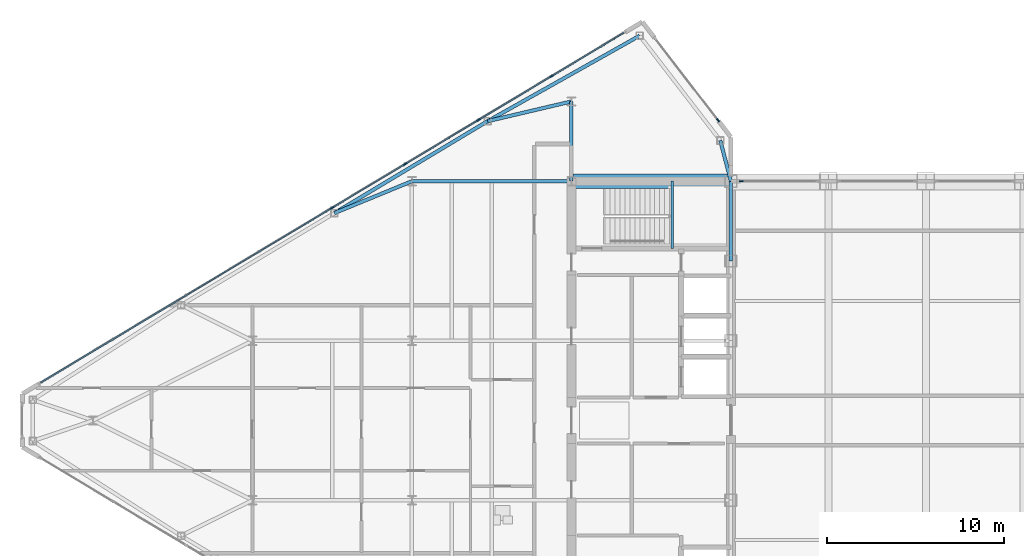
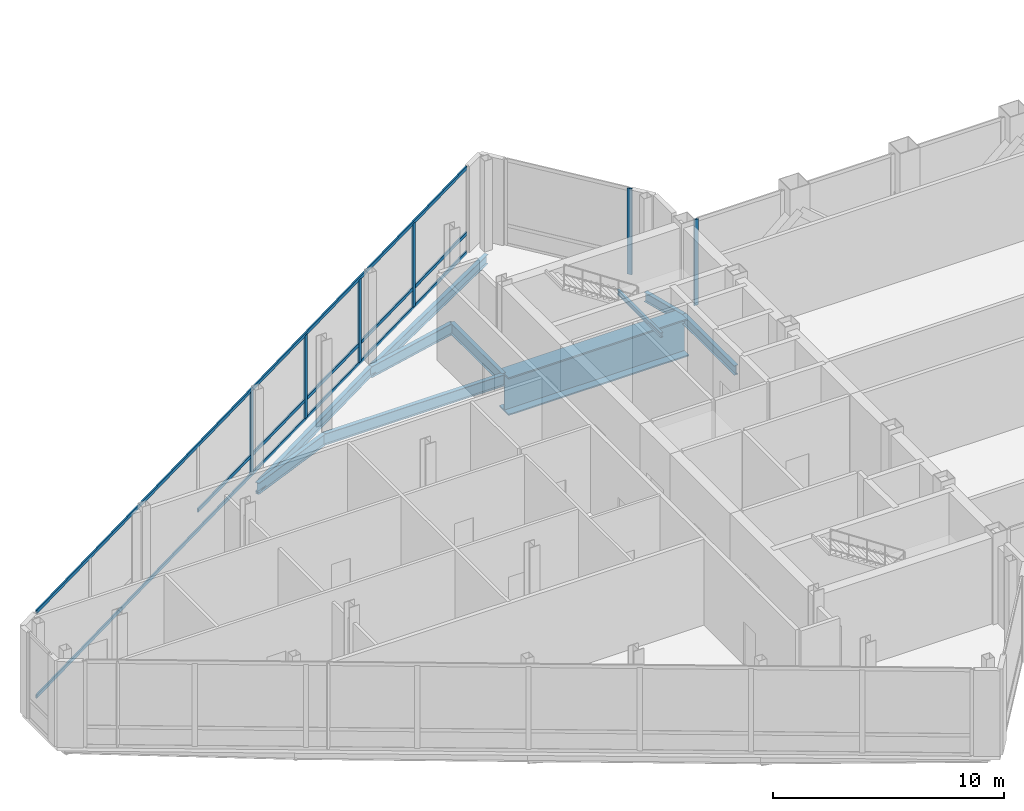
# One storey, part 11 of 29: 13 members, 10 beams, 3 elements without a shape of their own.
"""IFC4 building model written with IfcOpenShell, lengths in metres."""

from ifc_helpers import new_model, si_unit, direction, frame, origin, origin_2d, place, context, subcontext, project, spatial, rectangle, i_section, extrude, source, transform, mapped, material, layer, layer_set, material_profile, profile_set, type_object, type_shapes, element, aggregate, save


model = new_model("IFC4")

# Units and contexts
model_context = context("Model", 3, precision=1e-05, world=origin(), true_north=direction((0.0, 1.0)))
body_context = subcontext(model_context, "Body", "Model", "MODEL_VIEW")
ifc_project = project(units=[si_unit("LENGTHUNIT", "METRE"), si_unit("AREAUNIT", "SQUARE_METRE"), si_unit("VOLUMEUNIT", "CUBIC_METRE"), si_unit("PLANEANGLEUNIT", "RADIAN"), si_unit("MASSUNIT", "GRAM", prefix="KILO")], contexts=[model_context])

# Site, building, storey
site_placement = place(None, origin())
site = spatial("IfcSite", under=ifc_project, at=site_placement, CompositionType="ELEMENT")
building_placement = place(site_placement, origin())
building = spatial("IfcBuilding", under=site, at=building_placement, Name="Seokmaru Belvedere", CompositionType="ELEMENT")
storey_placement = place(building_placement, frame((0.0, 0.0, 229.800048828125)))
storey = spatial("IfcBuildingStorey", under=building, at=storey_placement, Name="L61", CompositionType="ELEMENT", Elevation=229.800048828125)

# Beams
ifc_material_1 = material(Name="Steel SM355 (355 MPa)", Category="steel")
ifc_material_profile_1 = material_profile(ifc_material_1, i_section(OverallWidth=0.199951171875, OverallDepth=0.5, WebThickness=0.010009765625, FlangeThickness=0.01611328125, at=origin_2d()), Name="H-500x200x10x16")
ifc_profile_set_1 = profile_set([ifc_material_profile_1], Name="Steel SM355 (355 MPa)")
beam_type_1 = type_object("IfcBeamType", Name="Perimeter Spandrel Beam H-500", PredefinedType="SPANDREL", material=ifc_profile_set_1)
shared_shape_1 = source(origin(), body_context, "Body", "SweptSolid", [
    extrude(i_section(OverallWidth=0.199951171875, OverallDepth=0.5, WebThickness=0.010009765625, FlangeThickness=0.01611328125, at=origin_2d()), origin(), (0.0, 0.0, 1.0), 4.5),
])
beam_1_placement = place(storey_placement, frame((-27.5, 9.0, -0.510009765625), z_axis=(0.0, 1.0, 0.0), x_axis=(-1.0, 0.0, 0.0)))
element("IfcBeam", 1, at=beam_1_placement, inside=storey, type_object=beam_type_1, Name="L61 W Portal Spine Spandrel 5", PredefinedType="SPANDREL", context=body_context, shape_type="MappedRepresentation", body=[
    mapped(shared_shape_1, transform((0.0, 0.0, 0.0), scale=1.0)),
])
ifc_material_profile_2 = material_profile(ifc_material_1, i_section(OverallWidth=0.199951171875, OverallDepth=0.60009765625, WebThickness=0.010986328125, FlangeThickness=0.01708984375, at=origin_2d()), Name="H-600x200x11x17")
ifc_profile_set_2 = profile_set([ifc_material_profile_2], Name="Steel SM355 (355 MPa)")
beam_type_2 = type_object("IfcBeamType", Name="Primary Floor Girder H-600", PredefinedType="BEAM", material=ifc_profile_set_2)
shared_shape_2 = source(origin(), body_context, "Body", "SweptSolid", [
    extrude(i_section(OverallWidth=0.199951171875, OverallDepth=0.60009765625, WebThickness=0.010986328125, FlangeThickness=0.01708984375, at=origin_2d()), origin(), (0.0, 0.0, 1.0), 9.0),
])
beam_2_placement = place(storey_placement, frame((-45.5, 13.5, -0.56005859375), z_axis=(1.0, 0.0, 0.0), x_axis=(0.0, 1.0, 0.0)))
element("IfcBeam", 2, at=beam_2_placement, inside=storey, type_object=beam_type_2, Name="L61 W Wing Primary Girder 4", PredefinedType="BEAM", context=body_context, shape_type="MappedRepresentation", body=[
    mapped(shared_shape_2, transform((0.0, 0.0, 0.0), scale=1.0)),
])
shared_shape_3 = source(origin(), body_context, "Body", "SweptSolid", [
    extrude(i_section(OverallWidth=0.199951171875, OverallDepth=0.60009765625, WebThickness=0.010986328125, FlangeThickness=0.01708984375, at=origin_2d()), origin(), (0.0, 0.0, 1.0), 4.5),
])
beam_3_placement = place(storey_placement, frame((-36.5, 13.5, -0.56005859375), z_axis=(0.0, 1.0, 0.0), x_axis=(-1.0, 0.0, 0.0)))
element("IfcBeam", 3, at=beam_3_placement, inside=storey, type_object=beam_type_2, Name="L61 W Core Shoulder Girder N", PredefinedType="BEAM", context=body_context, shape_type="MappedRepresentation", body=[
    mapped(shared_shape_3, transform((0.0, 0.0, 0.0), scale=1.0)),
])
shared_shape_4 = source(origin(), body_context, "Body", "SweptSolid", [
    extrude(i_section(OverallWidth=0.199951171875, OverallDepth=0.5, WebThickness=0.010009765625, FlangeThickness=0.01611328125, at=origin_2d()), origin(), (0.0, 0.0, 1.0), 9.842041015625),
])
beam_4_placement = place(storey_placement, frame((-32.649658203125, 21.71044921875, -0.510009765625), z_axis=(-0.871782151818, -0.489893743349, 0.0), x_axis=(0.489893743349, -0.871782151818, 0.0)))
element("IfcBeam", 4, at=beam_4_placement, inside=storey, type_object=beam_type_1, Name="L61 W Faceted Flank Spandrel N-1", PredefinedType="SPANDREL", context=body_context, shape_type="MappedRepresentation", body=[
    mapped(shared_shape_4, transform((0.0, 0.0, 0.0), scale=1.0)),
])
shared_shape_5 = source(origin(), body_context, "Body", "SweptSolid", [
    extrude(i_section(OverallWidth=0.199951171875, OverallDepth=0.5, WebThickness=0.010009765625, FlangeThickness=0.01611328125, at=origin_2d()), origin(), (0.0, 0.0, 1.0), 10.087646484375),
])
beam_5_placement = place(storey_placement, frame((-41.229736328125, 16.888916015625, -0.510009765625), z_axis=(-0.857499332045, -0.514485078056, 0.0), x_axis=(0.514485078056, -0.857499332045, 0.0)))
element("IfcBeam", 5, at=beam_5_placement, inside=storey, type_object=beam_type_1, Name="L61 W Faceted Flank Spandrel N-2", PredefinedType="SPANDREL", context=body_context, shape_type="MappedRepresentation", body=[
    mapped(shared_shape_5, transform((0.0, 0.0, 0.0), scale=1.0)),
])
shared_shape_6 = source(origin(), body_context, "Body", "SweptSolid", [
    extrude(i_section(OverallWidth=0.199951171875, OverallDepth=0.5, WebThickness=0.010009765625, FlangeThickness=0.01611328125, at=origin_2d()), origin(), (0.0, 0.0, 1.0), 2.373046875),
])
type_shapes(beam_type_1, [shared_shape_1, shared_shape_4, shared_shape_5, shared_shape_6])
beam_6_placement = place(storey_placement, frame((-28.10009765625, 15.7958984375, -0.510009765625), z_axis=(0.252882558842, -0.967496982648, 0.0), x_axis=(0.967496982648, 0.252882558842, 0.0)))
element("IfcBeam", 6, at=beam_6_placement, inside=storey, type_object=beam_type_1, Name="L61 W Shoulder Spine Spandrel N", PredefinedType="SPANDREL", context=body_context, shape_type="MappedRepresentation", body=[
    mapped(shared_shape_6, transform((0.0, 0.0, 0.0), scale=1.0)),
])
shared_shape_7 = source(origin(), body_context, "Body", "SweptSolid", [
    extrude(i_section(OverallWidth=0.199951171875, OverallDepth=0.60009765625, WebThickness=0.010986328125, FlangeThickness=0.01708984375, at=origin_2d()), origin(), (0.0, 0.0, 1.0), 4.8583984375),
])
beam_7_placement = place(storey_placement, frame((-41.229736328125, 16.888916015625, -0.56005859375), z_axis=(0.97349948295, 0.228689214211, 0.0), x_axis=(-0.228689214211, 0.97349948295, 0.0)))
element("IfcBeam", 7, at=beam_7_placement, inside=storey, type_object=beam_type_2, Name="L61 W Flank Radial Floor Girder N-1", PredefinedType="BEAM", context=body_context, shape_type="MappedRepresentation", body=[
    mapped(shared_shape_7, transform((0.0, 0.0, 0.0), scale=1.0)),
])
shared_shape_8 = source(origin(), body_context, "Body", "SweptSolid", [
    extrude(i_section(OverallWidth=0.199951171875, OverallDepth=0.60009765625, WebThickness=0.010986328125, FlangeThickness=0.01708984375, at=origin_2d()), origin(), (0.0, 0.0, 1.0), 4.73583984375),
])
type_shapes(beam_type_2, [shared_shape_2, shared_shape_3, shared_shape_7, shared_shape_8])
beam_8_placement = place(storey_placement, frame((-49.8798828125, 11.698974609375, -0.56005859375), z_axis=(0.924860562953, 0.380306375301, 0.0), x_axis=(-0.380306375301, 0.924860562953, 0.0)))
element("IfcBeam", 8, at=beam_8_placement, inside=storey, type_object=beam_type_2, Name="L61 W Flank Radial Floor Girder N-2", PredefinedType="BEAM", context=body_context, shape_type="MappedRepresentation", body=[
    mapped(shared_shape_8, transform((0.0, 0.0, 0.0), scale=1.0)),
])
ifc_material_2 = material(Name="Steel HSA650 (650 MPa)", Category="steel")
ifc_material_profile_3 = material_profile(ifc_material_2, i_section(OverallWidth=0.800048828125, OverallDepth=2.0, WebThickness=0.0400390625, FlangeThickness=0.070068359375, at=origin_2d()), Name="BH-2000x800x40x70")
ifc_profile_set_3 = profile_set([ifc_material_profile_3], Name="Steel HSA650 (650 MPa)")
beam_type_3 = type_object("IfcBeamType", Name="Sky-Gate Transfer Truss Chord Girder BH-2000", PredefinedType="BEAM", material=ifc_profile_set_3)
shared_shape_9 = source(origin(), body_context, "Body", "SweptSolid", [
    extrude(i_section(OverallWidth=0.800048828125, OverallDepth=2.0, WebThickness=0.0400390625, FlangeThickness=0.070068359375, at=origin_2d()), origin(), (0.0, 0.0, 1.0), 9.0),
])
type_shapes(beam_type_3, [shared_shape_9])
beam_9_placement = place(storey_placement, frame((-36.5, 13.5, -1.260009765625), z_axis=(1.0, 0.0, 0.0), x_axis=(0.0, 1.0, 0.0)))
element("IfcBeam", 9, at=beam_9_placement, inside=storey, type_object=beam_type_3, Name="L61 Sky-Gate Transfer Truss Chord N-01", PredefinedType="BEAM", context=body_context, shape_type="MappedRepresentation", body=[
    mapped(shared_shape_9, transform((0.0, 0.0, 0.0), scale=1.0)),
])

# Curtain wall, member
ifc_material_3 = material(Name="Bronze Triple Insulating Glass", Category="glass")
ifc_layer = layer(ifc_material_3, 0.219970703125)
ifc_layer_set = layer_set([ifc_layer], Name="Bronze Triple Insulating Glass")
curtain_wall_type = type_object("IfcCurtainWallType", Name="Sky-Gate Bridge Panorama Curtain Wall System CW-6", PredefinedType="NOTDEFINED", material=ifc_layer_set)
curtain_wall_1_placement = place(storey_placement, origin())
curtain_wall_1 = element("IfcCurtainWall", 10, at=curtain_wall_1_placement, inside=storey, type_object=curtain_wall_type, Name="L61 Curtain Wall WF2", PredefinedType="NOTDEFINED")
ifc_material_4 = material(Name="Anodised Bronze Aluminium", Category="aluminium")
ifc_material_profile_4 = material_profile(ifc_material_4, rectangle(XDim=0.080078125, YDim=0.219970703125, at=origin_2d()), Name="CW-M-80x220")
ifc_profile_set_4 = profile_set([ifc_material_profile_4], Name="Anodised Bronze Aluminium")
member_type_1 = type_object("IfcMemberType", Name="Bronze Unitised Mullion 80x220", PredefinedType="MULLION", material=ifc_profile_set_4)
shared_shape_10 = source(origin(), body_context, "Body", "SweptSolid", [
    extrude(rectangle(XDim=0.080078125, YDim=0.219970703125, at=origin_2d()), origin(), (0.0, 0.0, 1.0), 4.5400390625),
])
member_1_placement = place(storey_placement, frame((-28.2255859375, 16.943115234375, 0.0), z_axis=(0.0, 0.0, 1.0), x_axis=(-0.792631353244, -0.609701187349, 0.0)))
member_1 = element("IfcMember", 11, at=member_1_placement, type_object=member_type_1, Name="CW:L61:WF2 Mullion 1", PredefinedType="MULLION", context=body_context, shape_type="MappedRepresentation", body=[
    mapped(shared_shape_10, transform((0.0, 0.0, 0.0), scale=1.0)),
])
aggregate(curtain_wall_1, [member_1])

curtain_wall_2_placement = place(storey_placement, origin())
curtain_wall_2 = element("IfcCurtainWall", 12, at=curtain_wall_2_placement, inside=storey, type_object=curtain_wall_type, Name="L61 Curtain Wall BR_N01", PredefinedType="NOTDEFINED")
member_2_placement = place(storey_placement, frame((-26.909912109375, 13.5, 0.0), z_axis=(0.0, 0.0, 1.0), x_axis=(0.0, -1.0, 0.0)))
member_2 = element("IfcMember", 13, at=member_2_placement, type_object=member_type_1, Name="CW:L61:BR_N01 Mullion 2", PredefinedType="MULLION", context=body_context, shape_type="MappedRepresentation", body=[
    mapped(shared_shape_10, transform((0.0, 0.0, 0.0), scale=1.0)),
])
aggregate(curtain_wall_2, [member_2])

# Curtain wall, members
curtain_wall_3_placement = place(storey_placement, origin())
curtain_wall_3 = element("IfcCurtainWall", 14, at=curtain_wall_3_placement, inside=storey, type_object=curtain_wall_type, Name="L61 Curtain Wall WF3", PredefinedType="NOTDEFINED")
shared_shape_11 = source(origin(), body_context, "Body", "SweptSolid", [
    extrude(rectangle(XDim=0.080078125, YDim=0.219970703125, at=origin_2d()), origin(), (0.0, 0.0, 1.0), 4.389892578125),
])
type_shapes(member_type_1, [shared_shape_10, shared_shape_11])
member_3_placement = place(storey_placement, frame((-37.614501953125, 19.43115234375, 0.074951171875), z_axis=(0.0, 0.0, 1.0), x_axis=(0.514494909364, -0.85749343335, 0.0)))
member_3 = element("IfcMember", 15, at=member_3_placement, type_object=member_type_1, Name="CW:L61:WF3 Mullion 2", PredefinedType="MULLION", context=body_context, shape_type="MappedRepresentation", body=[
    mapped(shared_shape_11, transform((0.0, 0.0, 0.0), scale=1.0)),
])
member_4_placement = place(storey_placement, frame((-41.7431640625, 16.9541015625, 0.074951171875), z_axis=(0.0, 0.0, 1.0), x_axis=(0.514494909364, -0.85749343335, 0.0)))
member_4 = element("IfcMember", 16, at=member_4_placement, type_object=member_type_1, Name="CW:L61:WF3 Mullion 3", PredefinedType="MULLION", context=body_context, shape_type="MappedRepresentation", body=[
    mapped(shared_shape_11, transform((0.0, 0.0, 0.0), scale=1.0)),
])
member_5_placement = place(storey_placement, frame((-45.87158203125, 14.47705078125, 0.074951171875), z_axis=(0.0, 0.0, 1.0), x_axis=(0.514494909364, -0.85749343335, 0.0)))
member_5 = element("IfcMember", 17, at=member_5_placement, type_object=member_type_1, Name="CW:L61:WF3 Mullion 4", PredefinedType="MULLION", context=body_context, shape_type="MappedRepresentation", body=[
    mapped(shared_shape_11, transform((0.0, 0.0, 0.0), scale=1.0)),
])
member_6_placement = place(storey_placement, frame((-50.0, 12.0, 0.074951171875), z_axis=(0.0, 0.0, 1.0), x_axis=(0.514494909364, -0.85749343335, 0.0)))
member_6 = element("IfcMember", 18, at=member_6_placement, type_object=member_type_1, Name="CW:L61:WF3 Mullion 5", PredefinedType="MULLION", context=body_context, shape_type="MappedRepresentation", body=[
    mapped(shared_shape_11, transform((0.0, 0.0, 0.0), scale=1.0)),
])
ifc_material_profile_5 = material_profile(ifc_material_4, rectangle(XDim=0.074951171875, YDim=0.179931640625, at=origin_2d()), Name="CW-T-75x180")
ifc_profile_set_5 = profile_set([ifc_material_profile_5], Name="Anodised Bronze Aluminium")
member_type_2 = type_object("IfcMemberType", Name="Bronze Unitised Transom 75x180", PredefinedType="USERDEFINED", material=ifc_profile_set_5)
shared_shape_12 = source(origin(), body_context, "Body", "SweptSolid", [
    extrude(rectangle(XDim=0.074951171875, YDim=0.179931640625, at=origin_2d()), origin(), (0.0, 0.0, 1.0), 38.356689453125),
])
member_7_placement = place(storey_placement, frame((-33.5546875, 21.8671875, 0.037353515625), z_axis=(-0.857492925713, -0.514495755428, 0.0), x_axis=(0.514495755428, -0.857492925713, 0.0)))
member_7 = element("IfcMember", 19, at=member_7_placement, type_object=member_type_2, Name="CW:L61:WF3 Continuous Transom 1", ObjectType="TRANSOM", PredefinedType="USERDEFINED", context=body_context, shape_type="MappedRepresentation", body=[
    mapped(shared_shape_12, transform((0.0, 0.0, 0.0), scale=1.0)),
])
member_8_placement = place(storey_placement, frame((-33.5546875, 21.8671875, 4.50244140625), z_axis=(-0.857492925713, -0.514495755428, 0.0), x_axis=(0.514495755428, -0.857492925713, 0.0)))
member_8 = element("IfcMember", 20, at=member_8_placement, type_object=member_type_2, Name="CW:L61:WF3 Continuous Transom 2", ObjectType="TRANSOM", PredefinedType="USERDEFINED", context=body_context, shape_type="MappedRepresentation", body=[
    mapped(shared_shape_12, transform((0.0, 0.0, 0.0), scale=1.0)),
])
shared_shape_13 = source(origin(), body_context, "Body", "SweptSolid", [
    extrude(rectangle(XDim=0.074951171875, YDim=0.179931640625, at=origin_2d()), origin(), (0.0, 0.0, 1.0), 4.694580078125),
])
member_9_placement = place(storey_placement, frame((-33.5546875, 21.8671875, 1.050048828125), z_axis=(-0.85750210284, -0.514480459906, 0.0), x_axis=(0.514480459906, -0.85750210284, 0.0)))
member_9 = element("IfcMember", 21, at=member_9_placement, type_object=member_type_2, Name="CW:L61:WF3 Spandrel Transom 1", ObjectType="TRANSOM", PredefinedType="USERDEFINED", context=body_context, shape_type="MappedRepresentation", body=[
    mapped(shared_shape_13, transform((0.0, 0.0, 0.0), scale=1.0)),
])
shared_shape_14 = source(origin(), body_context, "Body", "SweptSolid", [
    extrude(rectangle(XDim=0.074951171875, YDim=0.179931640625, at=origin_2d()), origin(), (0.0, 0.0, 1.0), 4.734619140625),
])
member_10_placement = place(storey_placement, frame((-37.64892578125, 19.41064453125, 1.050048828125), z_axis=(-0.857479275774, -0.514518504641, 0.0), x_axis=(0.514518504641, -0.857479275774, 0.0)))
member_10 = element("IfcMember", 22, at=member_10_placement, type_object=member_type_2, Name="CW:L61:WF3 Spandrel Transom 2", ObjectType="TRANSOM", PredefinedType="USERDEFINED", context=body_context, shape_type="MappedRepresentation", body=[
    mapped(shared_shape_14, transform((0.0, 0.0, 0.0), scale=1.0)),
])
shared_shape_15 = source(origin(), body_context, "Body", "SweptSolid", [
    extrude(rectangle(XDim=0.074951171875, YDim=0.179931640625, at=origin_2d()), origin(), (0.0, 0.0, 1.0), 4.734375),
])
member_11_placement = place(storey_placement, frame((-41.77734375, 16.93359375, 1.050048828125), z_axis=(-0.857502025578, -0.514480588682, 0.0), x_axis=(0.514480588682, -0.857502025578, 0.0)))
member_11 = element("IfcMember", 23, at=member_11_placement, type_object=member_type_2, Name="CW:L61:WF3 Spandrel Transom 3", ObjectType="TRANSOM", PredefinedType="USERDEFINED", context=body_context, shape_type="MappedRepresentation", body=[
    mapped(shared_shape_15, transform((0.0, 0.0, 0.0), scale=1.0)),
])
shared_shape_16 = source(origin(), body_context, "Body", "SweptSolid", [
    extrude(rectangle(XDim=0.074951171875, YDim=0.179931640625, at=origin_2d()), origin(), (0.0, 0.0, 1.0), 4.73486328125),
])
type_shapes(member_type_2, [shared_shape_12, shared_shape_13, shared_shape_14, shared_shape_15, shared_shape_16])
member_12_placement = place(storey_placement, frame((-45.90576171875, 14.45654296875, 1.050048828125), z_axis=(-0.857492925713, -0.514495755428, 0.0), x_axis=(0.514495755428, -0.857492925713, 0.0)))
member_12 = element("IfcMember", 24, at=member_12_placement, type_object=member_type_2, Name="CW:L61:WF3 Spandrel Transom 4", ObjectType="TRANSOM", PredefinedType="USERDEFINED", context=body_context, shape_type="MappedRepresentation", body=[
    mapped(shared_shape_16, transform((0.0, 0.0, 0.0), scale=1.0)),
])
member_13_placement = place(storey_placement, frame((-50.0341796875, 11.9794921875, 1.050048828125), z_axis=(-0.857492925713, -0.514495755428, 0.0), x_axis=(0.514495755428, -0.857492925713, 0.0)))
member_13 = element("IfcMember", 25, at=member_13_placement, type_object=member_type_2, Name="CW:L61:WF3 Spandrel Transom 5", ObjectType="TRANSOM", PredefinedType="USERDEFINED", context=body_context, shape_type="MappedRepresentation", body=[
    mapped(shared_shape_16, transform((0.0, 0.0, 0.0), scale=1.0)),
])
aggregate(curtain_wall_3, [member_3, member_4, member_5, member_6, member_7, member_8, member_9, member_10, member_11, member_12, member_13])

# Beam
ifc_material_profile_6 = material_profile(ifc_material_1, i_section(OverallWidth=0.125, OverallDepth=0.25, WebThickness=0.006103515625, FlangeThickness=0.009033203125, at=origin_2d()), Name="H-250x125x6x9")
ifc_profile_set_6 = profile_set([ifc_material_profile_6], Name="Steel SM355 (355 MPa)")
beam_type_4 = type_object("IfcBeamType", Name="Stair Mid-Landing Support Beam H-250", PredefinedType="JOIST", material=ifc_profile_set_6)
shared_shape_17 = source(origin(), body_context, "Body", "SweptSolid", [
    extrude(i_section(OverallWidth=0.125, OverallDepth=0.25, WebThickness=0.006103515625, FlangeThickness=0.009033203125, at=origin_2d()), origin(), (0.0, 0.0, 1.0), 3.800048828125),
])
type_shapes(beam_type_4, [shared_shape_17])
beam_10_placement = place(storey_placement, frame((-30.81005859375, 9.699951171875, 2.074951171875), z_axis=(0.0, 1.0, 0.0), x_axis=(-1.0, 0.0, 0.0)))
element("IfcBeam", 26, at=beam_10_placement, inside=storey, type_object=beam_type_4, Name="L61 Stair ST-W2 Mid-Landing Support Beam 1", PredefinedType="JOIST", context=body_context, shape_type="MappedRepresentation", body=[
    mapped(shared_shape_17, transform((0.0, 0.0, 0.0), scale=1.0)),
])

save(model, "model.ifc")
